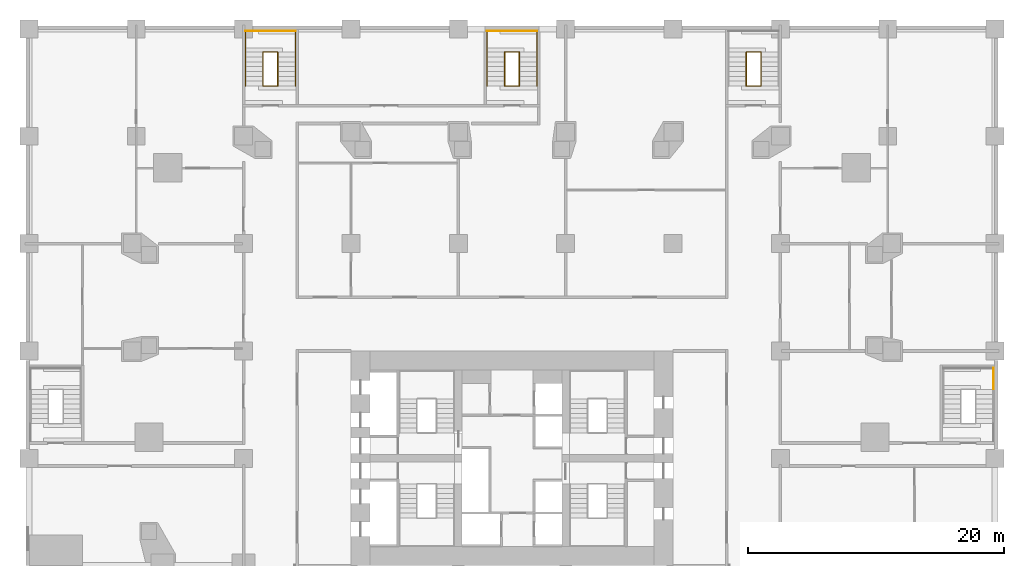
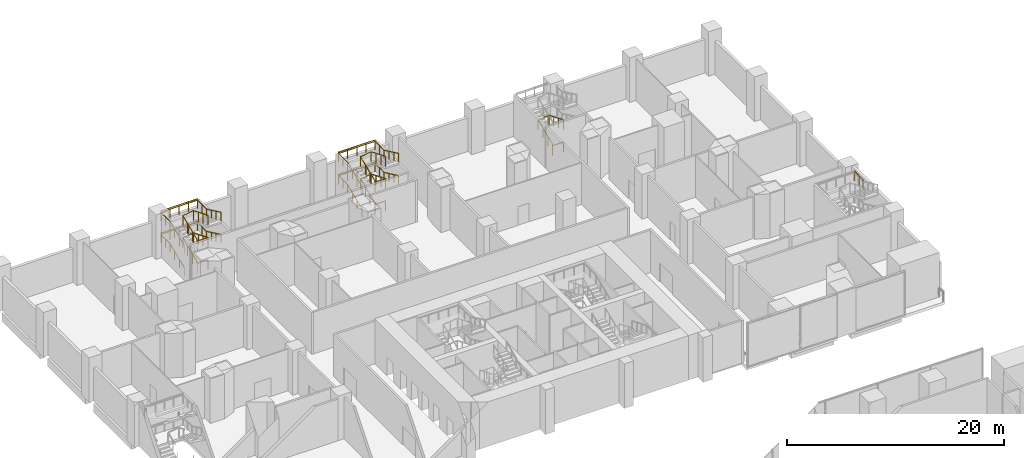
# One storey, part 23 of 24: 14 railings.
"""IFC4 building model written with IfcOpenShell, lengths in metres."""

from ifc_helpers import new_model, si_unit, direction, frame, origin, origin_2d, place, context, subcontext, project, spatial, circle, extrude, material, type_object, element, save


model = new_model("IFC4")

# Units and contexts
model_context = context("Model", 3, precision=1e-05, world=origin(), true_north=direction((0.0, 1.0)))
body_context = subcontext(model_context, "Body", "Model", "MODEL_VIEW")
ifc_project = project(units=[si_unit("LENGTHUNIT", "METRE"), si_unit("AREAUNIT", "SQUARE_METRE"), si_unit("VOLUMEUNIT", "CUBIC_METRE"), si_unit("PLANEANGLEUNIT", "RADIAN"), si_unit("MASSUNIT", "GRAM", prefix="KILO")], contexts=[model_context])

# Site, building, storey
site_placement = place(None, origin())
site = spatial("IfcSite", under=ifc_project, at=site_placement, CompositionType="ELEMENT")
building_placement = place(site_placement, origin())
building = spatial("IfcBuilding", under=site, at=building_placement, Name="Marenta Gate Hotel Tower", CompositionType="ELEMENT")
storey_placement = place(building_placement, frame((0.0, 0.0, 8.0)))
storey = spatial("IfcBuildingStorey", under=building, at=storey_placement, Name="L01", CompositionType="ELEMENT", Elevation=8.0)

# Railings
ifc_material_1 = material(Name="Stainless steel", Category="steel")
railing_type_1 = type_object("IfcRailingType", Name="Core stair handrail 950", PredefinedType="HANDRAIL", material=ifc_material_1)
railing_1_placement = place(storey_placement, frame((-20.85009765625, 37.530029296875, 0.15625)))
element("IfcRailing", 1, at=railing_1_placement, inside=storey, type_object=railing_type_1, Name="HR-950 L01-KR-PX3-2", PredefinedType="HANDRAIL", context=body_context, shape_type="SweptSolid", body=[
    extrude(circle(Radius=0.02392578125, at=origin_2d()), frame((0.0, 0.0, 0.92578125), z_axis=(0.0, 0.924862585091, 0.38030145766), x_axis=(-1.0, 0.0, 0.0)), (0.0, 0.0, 1.0), 2.8759765625),
    extrude(circle(Radius=0.02392578125, at=origin_2d()), frame((0.0, 2.659912109375, 2.01953125), z_axis=(0.0, 1.0, 0.0), x_axis=(-1.0, 0.0, 0.0)), (0.0, 0.0, 1.0), 1.66015625),
    extrude(circle(Radius=0.02392578125, at=origin_2d()), frame((0.0, 4.320068359375, 2.01953125), z_axis=(1.0, 0.0, 0.0), x_axis=(0.0, 1.0, 0.0)), (0.0, 0.0, 1.0), 3.900146484375),
    extrude(circle(Radius=0.02392578125, at=origin_2d()), frame((3.900146484375, 4.320068359375, 2.01953125), z_axis=(0.0, -1.0, 0.0), x_axis=(1.0, 0.0, 0.0)), (0.0, 0.0, 1.0), 1.66015625),
    extrude(circle(Radius=0.02392578125, at=origin_2d()), frame((3.900146484375, 2.659912109375, 2.01953125), z_axis=(0.0, -0.905044486808, 0.425316913488), x_axis=(1.0, 0.0, 0.0)), (0.0, 0.0, 1.0), 2.93896484375),
    extrude(circle(Radius=0.02099609375, at=origin_2d()), origin(), (0.0, 0.0, 1.0), 0.90185546875),
    extrude(circle(Radius=0.02099609375, at=origin_2d()), frame((0.0, 0.88671875, 0.364501953125)), (0.0, 0.0, 1.0), 0.90185546875),
    extrude(circle(Radius=0.02099609375, at=origin_2d()), frame((0.0, 1.773193359375, 0.729248046875)), (0.0, 0.0, 1.0), 0.90185546875),
    extrude(circle(Radius=0.02099609375, at=origin_2d()), frame((0.0, 2.659912109375, 1.09375)), (0.0, 0.0, 1.0), 0.90185546875),
    extrude(circle(Radius=0.02099609375, at=origin_2d()), frame((0.0, 3.489990234375, 1.09375)), (0.0, 0.0, 1.0), 0.90185546875),
    extrude(circle(Radius=0.02099609375, at=origin_2d()), frame((0.0, 4.320068359375, 1.09375)), (0.0, 0.0, 1.0), 0.90185546875),
    extrude(circle(Radius=0.02099609375, at=origin_2d()), frame((0.97509765625, 4.320068359375, 1.09375)), (0.0, 0.0, 1.0), 0.90185546875),
    extrude(circle(Radius=0.02099609375, at=origin_2d()), frame((1.9501953125, 4.320068359375, 1.09375)), (0.0, 0.0, 1.0), 0.90185546875),
    extrude(circle(Radius=0.02099609375, at=origin_2d()), frame((2.925048828125, 4.320068359375, 1.09375)), (0.0, 0.0, 1.0), 0.90185546875),
    extrude(circle(Radius=0.02099609375, at=origin_2d()), frame((3.900146484375, 4.320068359375, 1.09375)), (0.0, 0.0, 1.0), 0.90185546875),
    extrude(circle(Radius=0.02099609375, at=origin_2d()), frame((3.900146484375, 3.489990234375, 1.09375)), (0.0, 0.0, 1.0), 0.90185546875),
    extrude(circle(Radius=0.02099609375, at=origin_2d()), frame((3.900146484375, 2.659912109375, 1.09375)), (0.0, 0.0, 1.0), 0.90185546875),
    extrude(circle(Radius=0.02099609375, at=origin_2d()), frame((3.900146484375, 1.773193359375, 1.510498046875)), (0.0, 0.0, 1.0), 0.90185546875),
    extrude(circle(Radius=0.02099609375, at=origin_2d()), frame((3.900146484375, 0.88671875, 1.927001953125)), (0.0, 0.0, 1.0), 0.90185546875),
    extrude(circle(Radius=0.02099609375, at=origin_2d()), frame((3.900146484375, 0.0, 2.34375)), (0.0, 0.0, 1.0), 0.90185546875),
])
railing_2_placement = place(storey_placement, frame((-20.85009765625, 37.530029296875, 2.65625)))
element("IfcRailing", 2, at=railing_2_placement, inside=storey, type_object=railing_type_1, Name="HR-950 L01-KR-PX3-5", PredefinedType="HANDRAIL", context=body_context, shape_type="SweptSolid", body=[
    extrude(circle(Radius=0.02392578125, at=origin_2d()), frame((0.0, 0.0, 0.92578125), z_axis=(0.0, 0.924862585091, 0.38030145766), x_axis=(-1.0, 0.0, 0.0)), (0.0, 0.0, 1.0), 2.8759765625),
    extrude(circle(Radius=0.02392578125, at=origin_2d()), frame((0.0, 2.659912109375, 2.01953125), z_axis=(0.0, 1.0, 0.0), x_axis=(-1.0, 0.0, 0.0)), (0.0, 0.0, 1.0), 1.66015625),
    extrude(circle(Radius=0.02392578125, at=origin_2d()), frame((0.0, 4.320068359375, 2.01953125), z_axis=(1.0, 0.0, 0.0), x_axis=(0.0, 1.0, 0.0)), (0.0, 0.0, 1.0), 3.900146484375),
    extrude(circle(Radius=0.02392578125, at=origin_2d()), frame((3.900146484375, 4.320068359375, 2.01953125), z_axis=(0.0, -1.0, 0.0), x_axis=(1.0, 0.0, 0.0)), (0.0, 0.0, 1.0), 1.66015625),
    extrude(circle(Radius=0.02392578125, at=origin_2d()), frame((3.900146484375, 2.659912109375, 2.01953125), z_axis=(0.0, -0.905044486808, 0.425316913488), x_axis=(1.0, 0.0, 0.0)), (0.0, 0.0, 1.0), 2.93896484375),
    extrude(circle(Radius=0.02099609375, at=origin_2d()), origin(), (0.0, 0.0, 1.0), 0.90185546875),
    extrude(circle(Radius=0.02099609375, at=origin_2d()), frame((0.0, 0.88671875, 0.364501953125)), (0.0, 0.0, 1.0), 0.90185546875),
    extrude(circle(Radius=0.02099609375, at=origin_2d()), frame((0.0, 1.773193359375, 0.729248046875)), (0.0, 0.0, 1.0), 0.90185546875),
    extrude(circle(Radius=0.02099609375, at=origin_2d()), frame((0.0, 2.659912109375, 1.09375)), (0.0, 0.0, 1.0), 0.90185546875),
    extrude(circle(Radius=0.02099609375, at=origin_2d()), frame((0.0, 3.489990234375, 1.09375)), (0.0, 0.0, 1.0), 0.90185546875),
    extrude(circle(Radius=0.02099609375, at=origin_2d()), frame((0.0, 4.320068359375, 1.09375)), (0.0, 0.0, 1.0), 0.90185546875),
    extrude(circle(Radius=0.02099609375, at=origin_2d()), frame((0.97509765625, 4.320068359375, 1.09375)), (0.0, 0.0, 1.0), 0.90185546875),
    extrude(circle(Radius=0.02099609375, at=origin_2d()), frame((1.9501953125, 4.320068359375, 1.09375)), (0.0, 0.0, 1.0), 0.90185546875),
    extrude(circle(Radius=0.02099609375, at=origin_2d()), frame((2.925048828125, 4.320068359375, 1.09375)), (0.0, 0.0, 1.0), 0.90185546875),
    extrude(circle(Radius=0.02099609375, at=origin_2d()), frame((3.900146484375, 4.320068359375, 1.09375)), (0.0, 0.0, 1.0), 0.90185546875),
    extrude(circle(Radius=0.02099609375, at=origin_2d()), frame((3.900146484375, 3.489990234375, 1.09375)), (0.0, 0.0, 1.0), 0.90185546875),
    extrude(circle(Radius=0.02099609375, at=origin_2d()), frame((3.900146484375, 2.659912109375, 1.09375)), (0.0, 0.0, 1.0), 0.90185546875),
    extrude(circle(Radius=0.02099609375, at=origin_2d()), frame((3.900146484375, 1.773193359375, 1.510498046875)), (0.0, 0.0, 1.0), 0.90185546875),
    extrude(circle(Radius=0.02099609375, at=origin_2d()), frame((3.900146484375, 0.88671875, 1.927001953125)), (0.0, 0.0, 1.0), 0.90185546875),
    extrude(circle(Radius=0.02099609375, at=origin_2d()), frame((3.900146484375, 0.0, 2.34375)), (0.0, 0.0, 1.0), 0.90185546875),
])
railing_3_placement = place(storey_placement, frame((-1.949951171875, 37.530029296875, 0.15625)))
element("IfcRailing", 3, at=railing_3_placement, inside=storey, type_object=railing_type_1, Name="HR-950 L01-KR-PX8-2", PredefinedType="HANDRAIL", context=body_context, shape_type="SweptSolid", body=[
    extrude(circle(Radius=0.02392578125, at=origin_2d()), frame((0.0, 0.0, 0.92578125), z_axis=(0.0, 0.924862585091, 0.38030145766), x_axis=(-1.0, 0.0, 0.0)), (0.0, 0.0, 1.0), 2.8759765625),
    extrude(circle(Radius=0.02392578125, at=origin_2d()), frame((0.0, 2.659912109375, 2.01953125), z_axis=(0.0, 1.0, 0.0), x_axis=(-1.0, 0.0, 0.0)), (0.0, 0.0, 1.0), 1.66015625),
    extrude(circle(Radius=0.02392578125, at=origin_2d()), frame((0.0, 4.320068359375, 2.01953125), z_axis=(1.0, 0.0, 0.0), x_axis=(0.0, 1.0, 0.0)), (0.0, 0.0, 1.0), 3.89990234375),
    extrude(circle(Radius=0.02392578125, at=origin_2d()), frame((3.89990234375, 4.320068359375, 2.01953125), z_axis=(0.0, -1.0, 0.0), x_axis=(1.0, 0.0, 0.0)), (0.0, 0.0, 1.0), 1.66015625),
    extrude(circle(Radius=0.02392578125, at=origin_2d()), frame((3.89990234375, 2.659912109375, 2.01953125), z_axis=(0.0, -0.905044486808, 0.425316913488), x_axis=(1.0, 0.0, 0.0)), (0.0, 0.0, 1.0), 2.93896484375),
    extrude(circle(Radius=0.02099609375, at=origin_2d()), origin(), (0.0, 0.0, 1.0), 0.90185546875),
    extrude(circle(Radius=0.02099609375, at=origin_2d()), frame((0.0, 0.88671875, 0.364501953125)), (0.0, 0.0, 1.0), 0.90185546875),
    extrude(circle(Radius=0.02099609375, at=origin_2d()), frame((0.0, 1.773193359375, 0.729248046875)), (0.0, 0.0, 1.0), 0.90185546875),
    extrude(circle(Radius=0.02099609375, at=origin_2d()), frame((0.0, 2.659912109375, 1.09375)), (0.0, 0.0, 1.0), 0.90185546875),
    extrude(circle(Radius=0.02099609375, at=origin_2d()), frame((0.0, 3.489990234375, 1.09375)), (0.0, 0.0, 1.0), 0.90185546875),
    extrude(circle(Radius=0.02099609375, at=origin_2d()), frame((0.0, 4.320068359375, 1.09375)), (0.0, 0.0, 1.0), 0.90185546875),
    extrude(circle(Radius=0.02099609375, at=origin_2d()), frame((0.97509765625, 4.320068359375, 1.09375)), (0.0, 0.0, 1.0), 0.90185546875),
    extrude(circle(Radius=0.02099609375, at=origin_2d()), frame((1.949951171875, 4.320068359375, 1.09375)), (0.0, 0.0, 1.0), 0.90185546875),
    extrude(circle(Radius=0.02099609375, at=origin_2d()), frame((2.9248046875, 4.320068359375, 1.09375)), (0.0, 0.0, 1.0), 0.90185546875),
    extrude(circle(Radius=0.02099609375, at=origin_2d()), frame((3.89990234375, 4.320068359375, 1.09375)), (0.0, 0.0, 1.0), 0.90185546875),
    extrude(circle(Radius=0.02099609375, at=origin_2d()), frame((3.89990234375, 3.489990234375, 1.09375)), (0.0, 0.0, 1.0), 0.90185546875),
    extrude(circle(Radius=0.02099609375, at=origin_2d()), frame((3.89990234375, 2.659912109375, 1.09375)), (0.0, 0.0, 1.0), 0.90185546875),
    extrude(circle(Radius=0.02099609375, at=origin_2d()), frame((3.89990234375, 1.773193359375, 1.510498046875)), (0.0, 0.0, 1.0), 0.90185546875),
    extrude(circle(Radius=0.02099609375, at=origin_2d()), frame((3.89990234375, 0.88671875, 1.927001953125)), (0.0, 0.0, 1.0), 0.90185546875),
    extrude(circle(Radius=0.02099609375, at=origin_2d()), frame((3.89990234375, 0.0, 2.34375)), (0.0, 0.0, 1.0), 0.90185546875),
])
railing_4_placement = place(storey_placement, frame((-1.949951171875, 37.530029296875, 2.65625)))
element("IfcRailing", 4, at=railing_4_placement, inside=storey, type_object=railing_type_1, Name="HR-950 L01-KR-PX8-5", PredefinedType="HANDRAIL", context=body_context, shape_type="SweptSolid", body=[
    extrude(circle(Radius=0.02392578125, at=origin_2d()), frame((0.0, 0.0, 0.92578125), z_axis=(0.0, 0.924862585091, 0.38030145766), x_axis=(-1.0, 0.0, 0.0)), (0.0, 0.0, 1.0), 2.8759765625),
    extrude(circle(Radius=0.02392578125, at=origin_2d()), frame((0.0, 2.659912109375, 2.01953125), z_axis=(0.0, 1.0, 0.0), x_axis=(-1.0, 0.0, 0.0)), (0.0, 0.0, 1.0), 1.66015625),
    extrude(circle(Radius=0.02392578125, at=origin_2d()), frame((0.0, 4.320068359375, 2.01953125), z_axis=(1.0, 0.0, 0.0), x_axis=(0.0, 1.0, 0.0)), (0.0, 0.0, 1.0), 3.89990234375),
    extrude(circle(Radius=0.02392578125, at=origin_2d()), frame((3.89990234375, 4.320068359375, 2.01953125), z_axis=(0.0, -1.0, 0.0), x_axis=(1.0, 0.0, 0.0)), (0.0, 0.0, 1.0), 1.66015625),
    extrude(circle(Radius=0.02392578125, at=origin_2d()), frame((3.89990234375, 2.659912109375, 2.01953125), z_axis=(0.0, -0.905044486808, 0.425316913488), x_axis=(1.0, 0.0, 0.0)), (0.0, 0.0, 1.0), 2.93896484375),
    extrude(circle(Radius=0.02099609375, at=origin_2d()), origin(), (0.0, 0.0, 1.0), 0.90185546875),
    extrude(circle(Radius=0.02099609375, at=origin_2d()), frame((0.0, 0.88671875, 0.364501953125)), (0.0, 0.0, 1.0), 0.90185546875),
    extrude(circle(Radius=0.02099609375, at=origin_2d()), frame((0.0, 1.773193359375, 0.729248046875)), (0.0, 0.0, 1.0), 0.90185546875),
    extrude(circle(Radius=0.02099609375, at=origin_2d()), frame((0.0, 2.659912109375, 1.09375)), (0.0, 0.0, 1.0), 0.90185546875),
    extrude(circle(Radius=0.02099609375, at=origin_2d()), frame((0.0, 3.489990234375, 1.09375)), (0.0, 0.0, 1.0), 0.90185546875),
    extrude(circle(Radius=0.02099609375, at=origin_2d()), frame((0.0, 4.320068359375, 1.09375)), (0.0, 0.0, 1.0), 0.90185546875),
    extrude(circle(Radius=0.02099609375, at=origin_2d()), frame((0.97509765625, 4.320068359375, 1.09375)), (0.0, 0.0, 1.0), 0.90185546875),
    extrude(circle(Radius=0.02099609375, at=origin_2d()), frame((1.949951171875, 4.320068359375, 1.09375)), (0.0, 0.0, 1.0), 0.90185546875),
    extrude(circle(Radius=0.02099609375, at=origin_2d()), frame((2.9248046875, 4.320068359375, 1.09375)), (0.0, 0.0, 1.0), 0.90185546875),
    extrude(circle(Radius=0.02099609375, at=origin_2d()), frame((3.89990234375, 4.320068359375, 1.09375)), (0.0, 0.0, 1.0), 0.90185546875),
    extrude(circle(Radius=0.02099609375, at=origin_2d()), frame((3.89990234375, 3.489990234375, 1.09375)), (0.0, 0.0, 1.0), 0.90185546875),
    extrude(circle(Radius=0.02099609375, at=origin_2d()), frame((3.89990234375, 2.659912109375, 1.09375)), (0.0, 0.0, 1.0), 0.90185546875),
    extrude(circle(Radius=0.02099609375, at=origin_2d()), frame((3.89990234375, 1.773193359375, 1.510498046875)), (0.0, 0.0, 1.0), 0.90185546875),
    extrude(circle(Radius=0.02099609375, at=origin_2d()), frame((3.89990234375, 0.88671875, 1.927001953125)), (0.0, 0.0, 1.0), 0.90185546875),
    extrude(circle(Radius=0.02099609375, at=origin_2d()), frame((3.89990234375, 0.0, 2.34375)), (0.0, 0.0, 1.0), 0.90185546875),
])
ifc_material_2 = material(Name="Stainless steel", Category="steel")
railing_type_2 = type_object("IfcRailingType", Name="Core stair well guard 1100", PredefinedType="GUARDRAIL", material=ifc_material_2)
railing_5_placement = place(storey_placement, frame((-20.85009765625, 41.85009765625, 1.25)))
element("IfcRailing", 5, at=railing_5_placement, inside=storey, type_object=railing_type_2, Name="GR-1100 L01-KR-PX3-1", PredefinedType="GUARDRAIL", context=body_context, shape_type="SweptSolid", body=[
    extrude(circle(Radius=0.02392578125, at=origin_2d()), frame((0.0, 0.0, 1.076171875), z_axis=(1.0, 0.0, 0.0), x_axis=(0.0, 1.0, 0.0)), (0.0, 0.0, 1.0), 3.900146484375),
    extrude(circle(Radius=0.02099609375, at=origin_2d()), origin(), (0.0, 0.0, 1.0), 1.052001953125),
    extrude(circle(Radius=0.02099609375, at=origin_2d()), frame((0.97509765625, 0.0, 0.0)), (0.0, 0.0, 1.0), 1.052001953125),
    extrude(circle(Radius=0.02099609375, at=origin_2d()), frame((1.9501953125, 0.0, 0.0)), (0.0, 0.0, 1.0), 1.052001953125),
    extrude(circle(Radius=0.02099609375, at=origin_2d()), frame((2.925048828125, 0.0, 0.0)), (0.0, 0.0, 1.0), 1.052001953125),
    extrude(circle(Radius=0.02099609375, at=origin_2d()), frame((3.900146484375, 0.0, 0.0)), (0.0, 0.0, 1.0), 1.052001953125),
])
railing_6_placement = place(storey_placement, frame((-18.330078125, 37.530029296875, 0.0)))
element("IfcRailing", 6, at=railing_6_placement, inside=storey, type_object=railing_type_2, Name="GR-1100 L01-KR-PX3-3", PredefinedType="GUARDRAIL", context=body_context, shape_type="SweptSolid", body=[
    extrude(circle(Radius=0.02392578125, at=origin_2d()), frame((0.0, 0.0, 1.076171875), z_axis=(-1.0, 0.0, 0.0), x_axis=(0.0, -1.0, 0.0)), (0.0, 0.0, 1.0), 1.139892578125),
    extrude(circle(Radius=0.02392578125, at=origin_2d()), frame((-1.139892578125, 0.0, 1.076171875), z_axis=(0.0, 0.0, 1.0), x_axis=(1.0, 0.0, 0.0)), (0.0, 0.0, 1.0), 0.15625),
    extrude(circle(Radius=0.02392578125, at=origin_2d()), frame((-1.139892578125, 0.0, 1.232421875), z_axis=(0.0, 0.924862585091, 0.38030145766), x_axis=(-1.0, 0.0, 0.0)), (0.0, 0.0, 1.0), 2.8759765625),
    extrude(circle(Radius=0.02392578125, at=origin_2d()), frame((-1.139892578125, 2.659912109375, 2.326171875), z_axis=(0.990735666123, 0.0, 0.135804417717), x_axis=(0.0, 1.0, 0.0)), (0.0, 0.0, 1.0), 1.150634765625),
    extrude(circle(Radius=0.02392578125, at=origin_2d()), frame((0.0, 2.659912109375, 2.482421875), z_axis=(0.0, -0.924862585091, 0.38030145766), x_axis=(1.0, 0.0, 0.0)), (0.0, 0.0, 1.0), 2.8759765625),
    extrude(circle(Radius=0.02099609375, at=origin_2d()), origin(), (0.0, 0.0, 1.0), 1.052001953125),
    extrude(circle(Radius=0.02099609375, at=origin_2d()), frame((-1.139892578125, 0.0, 0.0)), (0.0, 0.0, 1.0), 1.052001953125),
    extrude(circle(Radius=0.02099609375, at=origin_2d()), frame((-1.139892578125, 0.0, 0.15625)), (0.0, 0.0, 1.0), 1.052001953125),
    extrude(circle(Radius=0.02099609375, at=origin_2d()), frame((-1.139892578125, 0.88671875, 0.520751953125)), (0.0, 0.0, 1.0), 1.052001953125),
    extrude(circle(Radius=0.02099609375, at=origin_2d()), frame((-1.139892578125, 1.773193359375, 0.885498046875)), (0.0, 0.0, 1.0), 1.052001953125),
    extrude(circle(Radius=0.02099609375, at=origin_2d()), frame((-1.139892578125, 2.659912109375, 1.25)), (0.0, 0.0, 1.0), 1.052001953125),
    extrude(circle(Radius=0.02099609375, at=origin_2d()), frame((0.0, 2.659912109375, 1.40625)), (0.0, 0.0, 1.0), 1.052001953125),
    extrude(circle(Radius=0.02099609375, at=origin_2d()), frame((0.0, 1.773193359375, 1.770751953125)), (0.0, 0.0, 1.0), 1.052001953125),
    extrude(circle(Radius=0.02099609375, at=origin_2d()), frame((0.0, 0.88671875, 2.135498046875)), (0.0, 0.0, 1.0), 1.052001953125),
    extrude(circle(Radius=0.02099609375, at=origin_2d()), frame((0.0, 0.0, 2.5)), (0.0, 0.0, 1.0), 1.052001953125),
])
railing_7_placement = place(storey_placement, frame((-20.85009765625, 41.85009765625, 3.75)))
element("IfcRailing", 7, at=railing_7_placement, inside=storey, type_object=railing_type_2, Name="GR-1100 L01-KR-PX3-4", PredefinedType="GUARDRAIL", context=body_context, shape_type="SweptSolid", body=[
    extrude(circle(Radius=0.02392578125, at=origin_2d()), frame((0.0, 0.0, 1.076171875), z_axis=(1.0, 0.0, 0.0), x_axis=(0.0, 1.0, 0.0)), (0.0, 0.0, 1.0), 3.900146484375),
    extrude(circle(Radius=0.02099609375, at=origin_2d()), origin(), (0.0, 0.0, 1.0), 1.052001953125),
    extrude(circle(Radius=0.02099609375, at=origin_2d()), frame((0.97509765625, 0.0, 0.0)), (0.0, 0.0, 1.0), 1.052001953125),
    extrude(circle(Radius=0.02099609375, at=origin_2d()), frame((1.9501953125, 0.0, 0.0)), (0.0, 0.0, 1.0), 1.052001953125),
    extrude(circle(Radius=0.02099609375, at=origin_2d()), frame((2.925048828125, 0.0, 0.0)), (0.0, 0.0, 1.0), 1.052001953125),
    extrude(circle(Radius=0.02099609375, at=origin_2d()), frame((3.900146484375, 0.0, 0.0)), (0.0, 0.0, 1.0), 1.052001953125),
])
railing_8_placement = place(storey_placement, frame((-18.330078125, 37.530029296875, 2.5)))
element("IfcRailing", 8, at=railing_8_placement, inside=storey, type_object=railing_type_2, Name="GR-1100 L01-KR-PX3-6", PredefinedType="GUARDRAIL", context=body_context, shape_type="SweptSolid", body=[
    extrude(circle(Radius=0.02392578125, at=origin_2d()), frame((0.0, 0.0, 1.076171875), z_axis=(-1.0, 0.0, 0.0), x_axis=(0.0, -1.0, 0.0)), (0.0, 0.0, 1.0), 1.139892578125),
    extrude(circle(Radius=0.02392578125, at=origin_2d()), frame((-1.139892578125, 0.0, 1.076171875), z_axis=(0.0, 0.0, 1.0), x_axis=(1.0, 0.0, 0.0)), (0.0, 0.0, 1.0), 0.15625),
    extrude(circle(Radius=0.02392578125, at=origin_2d()), frame((-1.139892578125, 0.0, 1.232421875), z_axis=(0.0, 0.924862585091, 0.38030145766), x_axis=(-1.0, 0.0, 0.0)), (0.0, 0.0, 1.0), 2.8759765625),
    extrude(circle(Radius=0.02392578125, at=origin_2d()), frame((-1.139892578125, 2.659912109375, 2.326171875), z_axis=(0.990735666123, 0.0, 0.135804417717), x_axis=(0.0, 1.0, 0.0)), (0.0, 0.0, 1.0), 1.150634765625),
    extrude(circle(Radius=0.02392578125, at=origin_2d()), frame((0.0, 2.659912109375, 2.482421875), z_axis=(0.0, -0.924862585091, 0.38030145766), x_axis=(1.0, 0.0, 0.0)), (0.0, 0.0, 1.0), 2.8759765625),
    extrude(circle(Radius=0.02099609375, at=origin_2d()), origin(), (0.0, 0.0, 1.0), 1.052001953125),
    extrude(circle(Radius=0.02099609375, at=origin_2d()), frame((-1.139892578125, 0.0, 0.0)), (0.0, 0.0, 1.0), 1.052001953125),
    extrude(circle(Radius=0.02099609375, at=origin_2d()), frame((-1.139892578125, 0.0, 0.15625)), (0.0, 0.0, 1.0), 1.052001953125),
    extrude(circle(Radius=0.02099609375, at=origin_2d()), frame((-1.139892578125, 0.88671875, 0.520751953125)), (0.0, 0.0, 1.0), 1.052001953125),
    extrude(circle(Radius=0.02099609375, at=origin_2d()), frame((-1.139892578125, 1.773193359375, 0.885498046875)), (0.0, 0.0, 1.0), 1.052001953125),
    extrude(circle(Radius=0.02099609375, at=origin_2d()), frame((-1.139892578125, 2.659912109375, 1.25)), (0.0, 0.0, 1.0), 1.052001953125),
    extrude(circle(Radius=0.02099609375, at=origin_2d()), frame((0.0, 2.659912109375, 1.40625)), (0.0, 0.0, 1.0), 1.052001953125),
    extrude(circle(Radius=0.02099609375, at=origin_2d()), frame((0.0, 1.773193359375, 1.770751953125)), (0.0, 0.0, 1.0), 1.052001953125),
    extrude(circle(Radius=0.02099609375, at=origin_2d()), frame((0.0, 0.88671875, 2.135498046875)), (0.0, 0.0, 1.0), 1.052001953125),
    extrude(circle(Radius=0.02099609375, at=origin_2d()), frame((0.0, 0.0, 2.5)), (0.0, 0.0, 1.0), 1.052001953125),
])
railing_9_placement = place(storey_placement, frame((19.469970703125, 37.530029296875, 0.0)))
element("IfcRailing", 9, at=railing_9_placement, inside=storey, type_object=railing_type_2, Name="GR-1100 L01-KR-PX4-3", PredefinedType="GUARDRAIL", context=body_context, shape_type="SweptSolid", body=[
    extrude(circle(Radius=0.02392578125, at=origin_2d()), frame((0.0, 0.0, 1.076171875), z_axis=(-1.0, 0.0, 0.0), x_axis=(0.0, -1.0, 0.0)), (0.0, 0.0, 1.0), 1.139892578125),
    extrude(circle(Radius=0.02392578125, at=origin_2d()), frame((-1.139892578125, 0.0, 1.076171875), z_axis=(0.0, 0.0, 1.0), x_axis=(1.0, 0.0, 0.0)), (0.0, 0.0, 1.0), 0.15625),
    extrude(circle(Radius=0.02392578125, at=origin_2d()), frame((-1.139892578125, 0.0, 1.232421875), z_axis=(0.0, 0.924862585091, 0.38030145766), x_axis=(-1.0, 0.0, 0.0)), (0.0, 0.0, 1.0), 2.8759765625),
    extrude(circle(Radius=0.02392578125, at=origin_2d()), frame((-1.139892578125, 2.659912109375, 2.326171875), z_axis=(0.990735666123, 0.0, 0.135804417717), x_axis=(0.0, 1.0, 0.0)), (0.0, 0.0, 1.0), 1.150634765625),
    extrude(circle(Radius=0.02392578125, at=origin_2d()), frame((0.0, 2.659912109375, 2.482421875), z_axis=(0.0, -0.924862585091, 0.38030145766), x_axis=(1.0, 0.0, 0.0)), (0.0, 0.0, 1.0), 2.8759765625),
    extrude(circle(Radius=0.02099609375, at=origin_2d()), origin(), (0.0, 0.0, 1.0), 1.052001953125),
    extrude(circle(Radius=0.02099609375, at=origin_2d()), frame((-1.139892578125, 0.0, 0.0)), (0.0, 0.0, 1.0), 1.052001953125),
    extrude(circle(Radius=0.02099609375, at=origin_2d()), frame((-1.139892578125, 0.0, 0.15625)), (0.0, 0.0, 1.0), 1.052001953125),
    extrude(circle(Radius=0.02099609375, at=origin_2d()), frame((-1.139892578125, 0.88671875, 0.520751953125)), (0.0, 0.0, 1.0), 1.052001953125),
    extrude(circle(Radius=0.02099609375, at=origin_2d()), frame((-1.139892578125, 1.773193359375, 0.885498046875)), (0.0, 0.0, 1.0), 1.052001953125),
    extrude(circle(Radius=0.02099609375, at=origin_2d()), frame((-1.139892578125, 2.659912109375, 1.25)), (0.0, 0.0, 1.0), 1.052001953125),
    extrude(circle(Radius=0.02099609375, at=origin_2d()), frame((0.0, 2.659912109375, 1.40625)), (0.0, 0.0, 1.0), 1.052001953125),
    extrude(circle(Radius=0.02099609375, at=origin_2d()), frame((0.0, 1.773193359375, 1.770751953125)), (0.0, 0.0, 1.0), 1.052001953125),
    extrude(circle(Radius=0.02099609375, at=origin_2d()), frame((0.0, 0.88671875, 2.135498046875)), (0.0, 0.0, 1.0), 1.052001953125),
    extrude(circle(Radius=0.02099609375, at=origin_2d()), frame((0.0, 0.0, 2.5)), (0.0, 0.0, 1.0), 1.052001953125),
])
railing_10_placement = place(storey_placement, frame((37.679931640625, 13.840087890625, 3.75)))
element("IfcRailing", 10, at=railing_10_placement, inside=storey, type_object=railing_type_2, Name="GR-1100 L01-KR-PX7-9", PredefinedType="GUARDRAIL", context=body_context, shape_type="SweptSolid", body=[
    extrude(circle(Radius=0.02392578125, at=origin_2d()), frame((0.0, 0.0, 1.076171875), z_axis=(0.0, 1.0, 0.0), x_axis=(-1.0, 0.0, 0.0)), (0.0, 0.0, 1.0), 1.60986328125),
    extrude(circle(Radius=0.02099609375, at=origin_2d()), origin(), (0.0, 0.0, 1.0), 1.052001953125),
    extrude(circle(Radius=0.02099609375, at=origin_2d()), frame((0.0, 0.804931640625, 0.0)), (0.0, 0.0, 1.0), 1.052001953125),
    extrude(circle(Radius=0.02099609375, at=origin_2d()), frame((0.0, 1.60986328125, 0.0)), (0.0, 0.0, 1.0), 1.052001953125),
])
railing_11_placement = place(storey_placement, frame((-1.949951171875, 41.85009765625, 1.25)))
element("IfcRailing", 11, at=railing_11_placement, inside=storey, type_object=railing_type_2, Name="GR-1100 L01-KR-PX8-1", PredefinedType="GUARDRAIL", context=body_context, shape_type="SweptSolid", body=[
    extrude(circle(Radius=0.02392578125, at=origin_2d()), frame((0.0, 0.0, 1.076171875), z_axis=(1.0, 0.0, 0.0), x_axis=(0.0, 1.0, 0.0)), (0.0, 0.0, 1.0), 3.89990234375),
    extrude(circle(Radius=0.02099609375, at=origin_2d()), origin(), (0.0, 0.0, 1.0), 1.052001953125),
    extrude(circle(Radius=0.02099609375, at=origin_2d()), frame((0.97509765625, 0.0, 0.0)), (0.0, 0.0, 1.0), 1.052001953125),
    extrude(circle(Radius=0.02099609375, at=origin_2d()), frame((1.949951171875, 0.0, 0.0)), (0.0, 0.0, 1.0), 1.052001953125),
    extrude(circle(Radius=0.02099609375, at=origin_2d()), frame((2.9248046875, 0.0, 0.0)), (0.0, 0.0, 1.0), 1.052001953125),
    extrude(circle(Radius=0.02099609375, at=origin_2d()), frame((3.89990234375, 0.0, 0.0)), (0.0, 0.0, 1.0), 1.052001953125),
])
railing_12_placement = place(storey_placement, frame((0.570068359375, 37.530029296875, 0.0)))
element("IfcRailing", 12, at=railing_12_placement, inside=storey, type_object=railing_type_2, Name="GR-1100 L01-KR-PX8-3", PredefinedType="GUARDRAIL", context=body_context, shape_type="SweptSolid", body=[
    extrude(circle(Radius=0.02392578125, at=origin_2d()), frame((0.0, 0.0, 1.076171875), z_axis=(-1.0, 0.0, 0.0), x_axis=(0.0, -1.0, 0.0)), (0.0, 0.0, 1.0), 1.14013671875),
    extrude(circle(Radius=0.02392578125, at=origin_2d()), frame((-1.14013671875, 0.0, 1.076171875), z_axis=(0.0, 0.0, 1.0), x_axis=(1.0, 0.0, 0.0)), (0.0, 0.0, 1.0), 0.15625),
    extrude(circle(Radius=0.02392578125, at=origin_2d()), frame((-1.14013671875, 0.0, 1.232421875), z_axis=(0.0, 0.924862585091, 0.38030145766), x_axis=(-1.0, 0.0, 0.0)), (0.0, 0.0, 1.0), 2.8759765625),
    extrude(circle(Radius=0.02392578125, at=origin_2d()), frame((-1.14013671875, 2.659912109375, 2.326171875), z_axis=(0.990739578357, 0.0, 0.135775873693), x_axis=(0.0, 1.0, 0.0)), (0.0, 0.0, 1.0), 1.15087890625),
    extrude(circle(Radius=0.02392578125, at=origin_2d()), frame((0.0, 2.659912109375, 2.482421875), z_axis=(0.0, -0.924862585091, 0.38030145766), x_axis=(1.0, 0.0, 0.0)), (0.0, 0.0, 1.0), 2.8759765625),
    extrude(circle(Radius=0.02099609375, at=origin_2d()), origin(), (0.0, 0.0, 1.0), 1.052001953125),
    extrude(circle(Radius=0.02099609375, at=origin_2d()), frame((-1.14013671875, 0.0, 0.0)), (0.0, 0.0, 1.0), 1.052001953125),
    extrude(circle(Radius=0.02099609375, at=origin_2d()), frame((-1.14013671875, 0.0, 0.15625)), (0.0, 0.0, 1.0), 1.052001953125),
    extrude(circle(Radius=0.02099609375, at=origin_2d()), frame((-1.14013671875, 0.88671875, 0.520751953125)), (0.0, 0.0, 1.0), 1.052001953125),
    extrude(circle(Radius=0.02099609375, at=origin_2d()), frame((-1.14013671875, 1.773193359375, 0.885498046875)), (0.0, 0.0, 1.0), 1.052001953125),
    extrude(circle(Radius=0.02099609375, at=origin_2d()), frame((-1.14013671875, 2.659912109375, 1.25)), (0.0, 0.0, 1.0), 1.052001953125),
    extrude(circle(Radius=0.02099609375, at=origin_2d()), frame((0.0, 2.659912109375, 1.40625)), (0.0, 0.0, 1.0), 1.052001953125),
    extrude(circle(Radius=0.02099609375, at=origin_2d()), frame((0.0, 1.773193359375, 1.770751953125)), (0.0, 0.0, 1.0), 1.052001953125),
    extrude(circle(Radius=0.02099609375, at=origin_2d()), frame((0.0, 0.88671875, 2.135498046875)), (0.0, 0.0, 1.0), 1.052001953125),
    extrude(circle(Radius=0.02099609375, at=origin_2d()), frame((0.0, 0.0, 2.5)), (0.0, 0.0, 1.0), 1.052001953125),
])
railing_13_placement = place(storey_placement, frame((-1.949951171875, 41.85009765625, 3.75)))
element("IfcRailing", 13, at=railing_13_placement, inside=storey, type_object=railing_type_2, Name="GR-1100 L01-KR-PX8-4", PredefinedType="GUARDRAIL", context=body_context, shape_type="SweptSolid", body=[
    extrude(circle(Radius=0.02392578125, at=origin_2d()), frame((0.0, 0.0, 1.076171875), z_axis=(1.0, 0.0, 0.0), x_axis=(0.0, 1.0, 0.0)), (0.0, 0.0, 1.0), 3.89990234375),
    extrude(circle(Radius=0.02099609375, at=origin_2d()), origin(), (0.0, 0.0, 1.0), 1.052001953125),
    extrude(circle(Radius=0.02099609375, at=origin_2d()), frame((0.97509765625, 0.0, 0.0)), (0.0, 0.0, 1.0), 1.052001953125),
    extrude(circle(Radius=0.02099609375, at=origin_2d()), frame((1.949951171875, 0.0, 0.0)), (0.0, 0.0, 1.0), 1.052001953125),
    extrude(circle(Radius=0.02099609375, at=origin_2d()), frame((2.9248046875, 0.0, 0.0)), (0.0, 0.0, 1.0), 1.052001953125),
    extrude(circle(Radius=0.02099609375, at=origin_2d()), frame((3.89990234375, 0.0, 0.0)), (0.0, 0.0, 1.0), 1.052001953125),
])
railing_14_placement = place(storey_placement, frame((0.570068359375, 37.530029296875, 2.5)))
element("IfcRailing", 14, at=railing_14_placement, inside=storey, type_object=railing_type_2, Name="GR-1100 L01-KR-PX8-6", PredefinedType="GUARDRAIL", context=body_context, shape_type="SweptSolid", body=[
    extrude(circle(Radius=0.02392578125, at=origin_2d()), frame((0.0, 0.0, 1.076171875), z_axis=(-1.0, 0.0, 0.0), x_axis=(0.0, -1.0, 0.0)), (0.0, 0.0, 1.0), 1.14013671875),
    extrude(circle(Radius=0.02392578125, at=origin_2d()), frame((-1.14013671875, 0.0, 1.076171875), z_axis=(0.0, 0.0, 1.0), x_axis=(1.0, 0.0, 0.0)), (0.0, 0.0, 1.0), 0.15625),
    extrude(circle(Radius=0.02392578125, at=origin_2d()), frame((-1.14013671875, 0.0, 1.232421875), z_axis=(0.0, 0.924862585091, 0.38030145766), x_axis=(-1.0, 0.0, 0.0)), (0.0, 0.0, 1.0), 2.8759765625),
    extrude(circle(Radius=0.02392578125, at=origin_2d()), frame((-1.14013671875, 2.659912109375, 2.326171875), z_axis=(0.990739578357, 0.0, 0.135775873693), x_axis=(0.0, 1.0, 0.0)), (0.0, 0.0, 1.0), 1.15087890625),
    extrude(circle(Radius=0.02392578125, at=origin_2d()), frame((0.0, 2.659912109375, 2.482421875), z_axis=(0.0, -0.924862585091, 0.38030145766), x_axis=(1.0, 0.0, 0.0)), (0.0, 0.0, 1.0), 2.8759765625),
    extrude(circle(Radius=0.02099609375, at=origin_2d()), origin(), (0.0, 0.0, 1.0), 1.052001953125),
    extrude(circle(Radius=0.02099609375, at=origin_2d()), frame((-1.14013671875, 0.0, 0.0)), (0.0, 0.0, 1.0), 1.052001953125),
    extrude(circle(Radius=0.02099609375, at=origin_2d()), frame((-1.14013671875, 0.0, 0.15625)), (0.0, 0.0, 1.0), 1.052001953125),
    extrude(circle(Radius=0.02099609375, at=origin_2d()), frame((-1.14013671875, 0.88671875, 0.520751953125)), (0.0, 0.0, 1.0), 1.052001953125),
    extrude(circle(Radius=0.02099609375, at=origin_2d()), frame((-1.14013671875, 1.773193359375, 0.885498046875)), (0.0, 0.0, 1.0), 1.052001953125),
    extrude(circle(Radius=0.02099609375, at=origin_2d()), frame((-1.14013671875, 2.659912109375, 1.25)), (0.0, 0.0, 1.0), 1.052001953125),
    extrude(circle(Radius=0.02099609375, at=origin_2d()), frame((0.0, 2.659912109375, 1.40625)), (0.0, 0.0, 1.0), 1.052001953125),
    extrude(circle(Radius=0.02099609375, at=origin_2d()), frame((0.0, 1.773193359375, 1.770751953125)), (0.0, 0.0, 1.0), 1.052001953125),
    extrude(circle(Radius=0.02099609375, at=origin_2d()), frame((0.0, 0.88671875, 2.135498046875)), (0.0, 0.0, 1.0), 1.052001953125),
    extrude(circle(Radius=0.02099609375, at=origin_2d()), frame((0.0, 0.0, 2.5)), (0.0, 0.0, 1.0), 1.052001953125),
])

save(model, "model.ifc")
